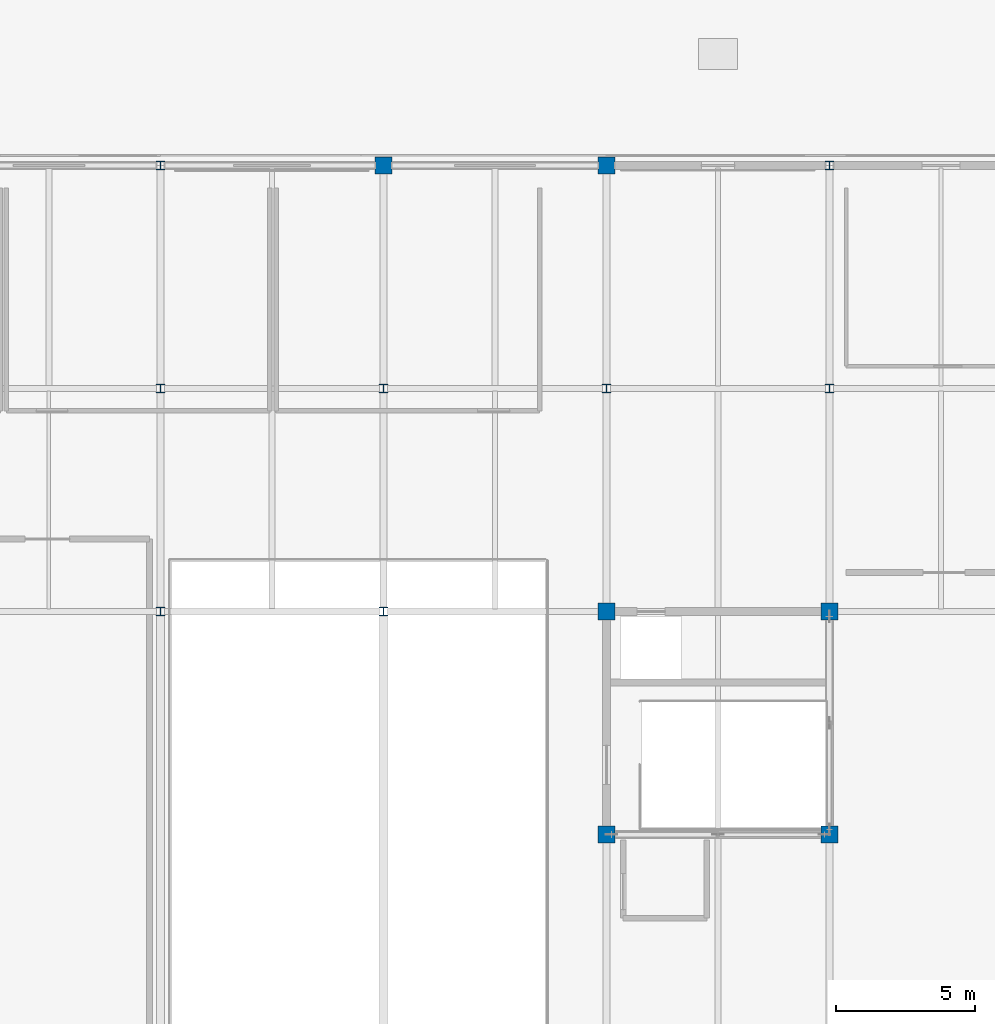
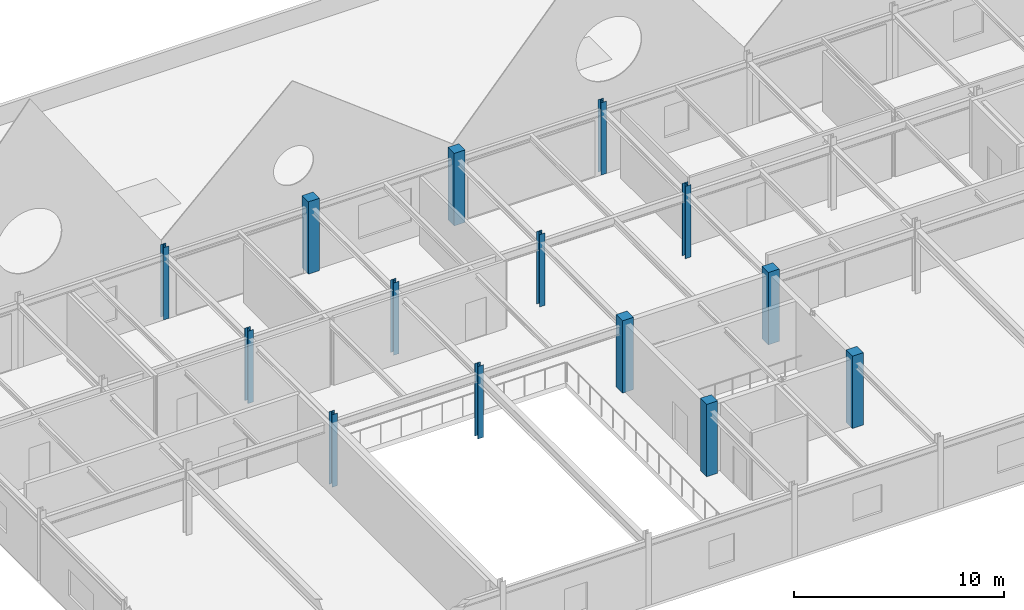
# One storey, part 8 of 88: 14 columns.
"""IFC4 building model written with IfcOpenShell, lengths in metres."""

from ifc_helpers import new_model, si_unit, direction, frame, origin, origin_2d, place, context, subcontext, project, spatial, rectangle, i_section, extrude, material, material_profile, profile_set, type_object, element, save


model = new_model("IFC4")

# Units and contexts
model_context = context("Model", 3, precision=1e-05, world=origin(), true_north=direction((0.0, 1.0)))
body_context = subcontext(model_context, "Body", "Model", "MODEL_VIEW")
ifc_project = project(units=[si_unit("LENGTHUNIT", "METRE"), si_unit("AREAUNIT", "SQUARE_METRE"), si_unit("VOLUMEUNIT", "CUBIC_METRE"), si_unit("PLANEANGLEUNIT", "RADIAN"), si_unit("MASSUNIT", "GRAM", prefix="KILO")], contexts=[model_context])

# Site, building, storey
site_placement = place(None, origin())
site = spatial("IfcSite", under=ifc_project, at=site_placement, CompositionType="ELEMENT")
building_placement = place(site_placement, origin())
building = spatial("IfcBuilding", under=site, at=building_placement, Name="Zhaolan Boulevard Law Courts", CompositionType="ELEMENT")
storey_placement = place(building_placement, frame((0.0, 0.0, 16.199951171875)))
storey = spatial("IfcBuildingStorey", under=building, at=storey_placement, Name="L03", CompositionType="ELEMENT", Elevation=16.199951171875)

# Columns
ifc_material_1 = material(Name="Structural steel Q355B", Category="steel")
ifc_material_profile_1 = material_profile(ifc_material_1, i_section(OverallWidth=0.300048828125, OverallDepth=0.300048828125, WebThickness=0.010009765625, FlangeThickness=0.014892578125, FilletRadius=0.01806640625, at=origin_2d()), Name="HW300x300")
ifc_profile_set_1 = profile_set([ifc_material_profile_1], Name="Structural steel Q355B")
column_type_1 = type_object("IfcColumnType", Name="COL HW300", PredefinedType="COLUMN", material=ifc_profile_set_1)
for number, where, z_axis, x_axis, name in (
    (1, (68.0, 78.0, 0.0), (0.0, 0.0, 1.0), (1.0, 0.0, 0.0), "Column C-9L (L03)"),
    (2, (68.0, 86.0, 0.0), (0.0, 0.0, 1.0), (1.0, 0.0, 0.0), "Column C-9M (L03)"),
    (3, (68.0, 94.0, 0.0), (0.0, 0.0, 1.0), (1.0, 0.0, 0.0), "Column C-9N (L03)"),
    (4, (76.0, 78.0, 0.0), (0.0, 0.0, 1.0), (1.0, 0.0, 0.0), "Column C-10L (L03)"),
    (5, (76.0, 86.0, 0.0), (0.0, 0.0, 1.0), (1.0, 0.0, 0.0), "Column C-10M (L03)"),
    (6, (84.0, 86.0, 0.0), (0.0, 0.0, 1.0), (1.0, 0.0, 0.0), "Column C-11M (L03)"),
    (7, (92.0, 86.0, 0.0), (0.0, 0.0, 1.0), (1.0, 0.0, 0.0), "Column C-12M (L03)"),
    (8, (92.0, 94.0, 0.0), (0.0, 0.0, 1.0), (1.0, 0.0, 0.0), "Column C-12N (L03)"),
):
    element("IfcColumn", number, at=place(storey_placement, frame(where, z_axis=z_axis, x_axis=x_axis)), inside=storey, type_object=column_type_1, Name=name, PredefinedType="COLUMN", context=body_context, shape_type="SweptSolid", body=[
        extrude(i_section(OverallWidth=0.300048828125, OverallDepth=0.300048828125, WebThickness=0.010009765625, FlangeThickness=0.014892578125, FilletRadius=0.01806640625, at=origin_2d()), origin(), (0.0, 0.0, 1.0), 4.199951171875),
    ])
ifc_material_2 = material(Name="Concrete C50", Category="concrete")
ifc_material_profile_2 = material_profile(ifc_material_2, rectangle(XDim=0.60009765625, YDim=0.60009765625, at=origin_2d()), Name="RC600x600")
ifc_profile_set_2 = profile_set([ifc_material_profile_2], Name="Concrete C50")
column_type_2 = type_object("IfcColumnType", Name="COL RC600", PredefinedType="COLUMN", material=ifc_profile_set_2)
for number, where, z_axis, x_axis, name in (
    (9, (76.0, 94.0, 0.0), (0.0, 0.0, 1.0), (1.0, 0.0, 0.0), "Column C-10N (L03)"),
    (10, (84.0, 70.0, 0.0), (0.0, 0.0, 1.0), (1.0, 0.0, 0.0), "Column C-11K (L03)"),
    (11, (84.0, 78.0, 0.0), (0.0, 0.0, 1.0), (1.0, 0.0, 0.0), "Column C-11L (L03)"),
    (12, (84.0, 94.0, 0.0), (0.0, 0.0, 1.0), (1.0, 0.0, 0.0), "Column C-11N (L03)"),
    (13, (92.0, 70.0, 0.0), (0.0, 0.0, 1.0), (1.0, 0.0, 0.0), "Column C-12K (L03)"),
    (14, (92.0, 78.0, 0.0), (0.0, 0.0, 1.0), (1.0, 0.0, 0.0), "Column C-12L (L03)"),
):
    element("IfcColumn", number, at=place(storey_placement, frame(where, z_axis=z_axis, x_axis=x_axis)), inside=storey, type_object=column_type_2, Name=name, PredefinedType="COLUMN", context=body_context, shape_type="SweptSolid", body=[
        extrude(rectangle(XDim=0.60009765625, YDim=0.60009765625, at=origin_2d()), origin(), (0.0, 0.0, 1.0), 4.199951171875),
    ])

save(model, "model.ifc")
